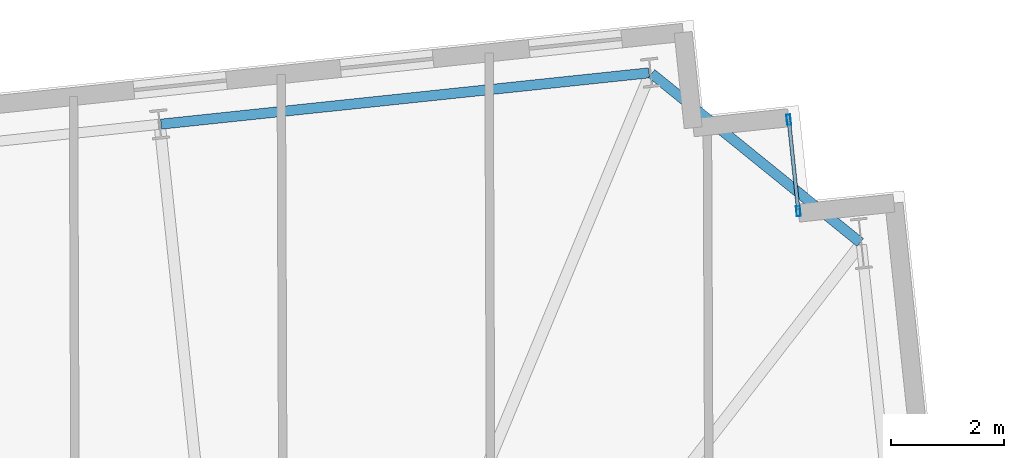
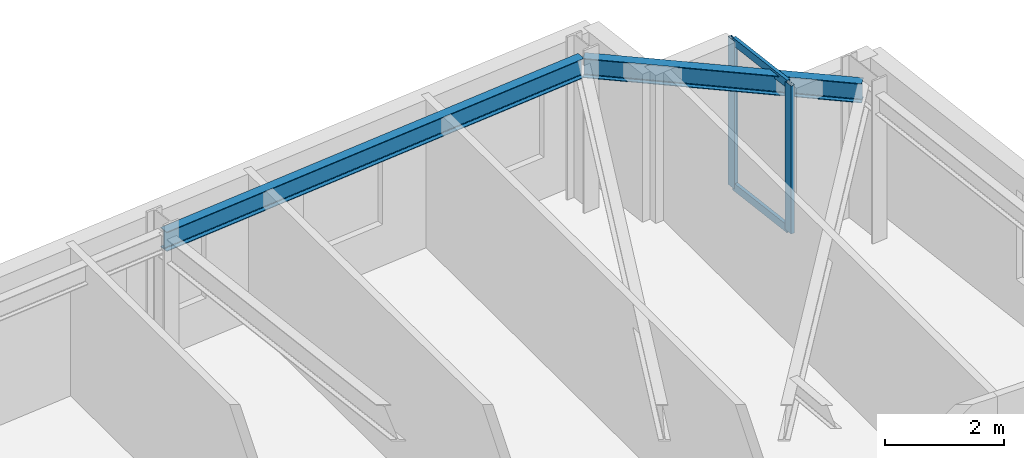
# One storey, part 14 of 23: 4 members, 2 beams, 1 element without a shape of its own.
"""IFC4 building model written with IfcOpenShell, lengths in metres."""

from ifc_helpers import new_model, si_unit, direction, frame, origin, origin_2d, place, context, subcontext, project, spatial, hollow_rectangle, i_section, extrude, material, layer, layer_set, material_profile, profile_set, type_object, element, aggregate, save


model = new_model("IFC4")

# Units and contexts
model_context = context("Model", 3, precision=1e-05, world=origin(), true_north=direction((0.0, 1.0)))
body_context = subcontext(model_context, "Body", "Model", "MODEL_VIEW")
ifc_project = project(units=[si_unit("LENGTHUNIT", "METRE"), si_unit("AREAUNIT", "SQUARE_METRE"), si_unit("VOLUMEUNIT", "CUBIC_METRE"), si_unit("PLANEANGLEUNIT", "RADIAN"), si_unit("MASSUNIT", "GRAM", prefix="KILO")], contexts=[model_context])

# Site, building, storey
site_placement = place(None, origin())
site = spatial("IfcSite", under=ifc_project, at=site_placement, CompositionType="ELEMENT")
building_placement = place(site_placement, origin())
building = spatial("IfcBuilding", under=site, at=building_placement, Name="Qobustan Lattice House", CompositionType="ELEMENT")
storey_placement = place(building_placement, frame((0.0, 0.0, 102.449951171875)))
storey = spatial("IfcBuildingStorey", under=building, at=storey_placement, Name="L28", CompositionType="ELEMENT", Elevation=102.449951171875)

# Beams
ifc_material_1 = material(Name="Steel S355", Category="steel")
ifc_material_profile_1 = material_profile(ifc_material_1, i_section(OverallWidth=0.179931640625, OverallDepth=0.39990234375, WebThickness=0.008544921875, FlangeThickness=0.013427734375, FilletRadius=0.02099609375, at=origin_2d()), Name="IPE400")
ifc_profile_set_1 = profile_set([ifc_material_profile_1], Name="Steel S355")
beam_type = type_object("IfcBeamType", Name="BM-SPD-IPE400", PredefinedType="SPANDREL", material=ifc_profile_set_1)
beam_1_placement = place(storey_placement, frame((29.536865234375, 19.484619140625, 2.844970703125), z_axis=(-0.777140911545, 0.629326627121, 0.0), x_axis=(-0.629326627121, -0.777140911545, 0.0)))
element("IfcBeam", 1, at=beam_1_placement, inside=storey, type_object=beam_type, Name="L28 perimeter spandrel E4-N1", PredefinedType="SPANDREL", context=body_context, shape_type="SweptSolid", body=[
    extrude(i_section(OverallWidth=0.179931640625, OverallDepth=0.39990234375, WebThickness=0.008544921875, FlangeThickness=0.013427734375, FilletRadius=0.02099609375, at=origin_2d()), origin(), (0.0, 0.0, 1.0), 4.758544921875),
])
beam_2_placement = place(storey_placement, frame((25.794677734375, 22.492431640625, 2.844970703125), z_axis=(-0.994521586424, -0.104531402636, 0.0), x_axis=(0.104531402636, -0.994521586424, 0.0)))
element("IfcBeam", 2, at=beam_2_placement, inside=storey, type_object=beam_type, Name="L28 perimeter spandrel N1-N2", PredefinedType="SPANDREL", context=body_context, shape_type="SweptSolid", body=[
    extrude(i_section(OverallWidth=0.179931640625, OverallDepth=0.39990234375, WebThickness=0.008544921875, FlangeThickness=0.013427734375, FilletRadius=0.02099609375, at=origin_2d()), origin(), (0.0, 0.0, 1.0), 8.699951171875),
])

# Curtain wall, members
ifc_material_2 = material(Name="Anodised aluminium and low-E glazing", Category="aluminium")
ifc_layer = layer(ifc_material_2, 0.219970703125)
ifc_layer_set = layer_set([ifc_layer], Name="Anodised aluminium and low-E glazing")
curtain_wall_type = type_object("IfcCurtainWallType", Name="CW-FAC-01", PredefinedType="USERDEFINED", material=ifc_layer_set)
curtain_wall_placement = place(storey_placement, origin())
curtain_wall = element("IfcCurtainWall", 3, at=curtain_wall_placement, inside=storey, type_object=curtain_wall_type, Name="L28 serrated corner faceted glazing 13", ObjectType="CURTAIN WALL", PredefinedType="USERDEFINED")
ifc_material_3 = material(Name="Anodised aluminium EN AW-6063 T6", Category="aluminium")
ifc_material_profile_2 = material_profile(ifc_material_3, hollow_rectangle(XDim=0.070068359375, YDim=0.179931640625, WallThickness=0.00439453125, at=origin_2d()), Name="CWM-180x70")
ifc_profile_set_2 = profile_set([ifc_material_profile_2], Name="Anodised aluminium EN AW-6063 T6")
member_type_1 = type_object("IfcMemberType", Name="CWM-STD-180", PredefinedType="MULLION", material=ifc_profile_set_2)
member_1_placement = place(storey_placement, frame((28.27001953125, 21.66162109375, 0.0), z_axis=(0.0, 0.0, 1.0), x_axis=(0.994521878892, 0.104528620025, 0.0)))
member_1 = element("IfcMember", 4, at=member_1_placement, type_object=member_type_1, Name="CW-F1 mullion 1", PredefinedType="MULLION", context=body_context, shape_type="SweptSolid", body=[
    extrude(hollow_rectangle(XDim=0.070068359375, YDim=0.179931640625, WallThickness=0.00439453125, at=origin_2d()), origin(), (0.0, 0.0, 1.0), 3.045166015625),
])
member_2_placement = place(storey_placement, frame((28.4404296875, 20.04052734375, 0.0), z_axis=(0.0, 0.0, 1.0), x_axis=(0.994521878892, 0.104528620025, 0.0)))
member_2 = element("IfcMember", 5, at=member_2_placement, type_object=member_type_1, Name="CW-F1 mullion 2", PredefinedType="MULLION", context=body_context, shape_type="SweptSolid", body=[
    extrude(hollow_rectangle(XDim=0.070068359375, YDim=0.179931640625, WallThickness=0.00439453125, at=origin_2d()), origin(), (0.0, 0.0, 1.0), 3.045166015625),
])
ifc_material_4 = material(Name="Anodised aluminium EN AW-6063 T6", Category="aluminium")
ifc_material_profile_3 = material_profile(ifc_material_4, hollow_rectangle(XDim=0.06494140625, YDim=0.159912109375, WallThickness=0.00390625, at=origin_2d()), Name="CWT-160x65")
ifc_profile_set_3 = profile_set([ifc_material_profile_3], Name="Anodised aluminium EN AW-6063 T6")
member_type_2 = type_object("IfcMemberType", Name="CWT-HOR-160", PredefinedType="USERDEFINED", material=ifc_profile_set_3)
member_3_placement = place(storey_placement, frame((28.273681640625, 21.626708984375, 0.032470703125), z_axis=(0.104538150424, -0.994520877159, 0.0), x_axis=(0.994520877159, 0.104538150424, 0.0)))
member_3 = element("IfcMember", 6, at=member_3_placement, type_object=member_type_2, Name="CW-F1 transom 1.1", ObjectType="TRANSOM", PredefinedType="USERDEFINED", context=body_context, shape_type="SweptSolid", body=[
    extrude(hollow_rectangle(XDim=0.06494140625, YDim=0.159912109375, WallThickness=0.00390625, at=origin_2d()), origin(), (0.0, 0.0, 1.0), 1.56005859375),
])
member_4_placement = place(storey_placement, frame((28.273681640625, 21.626708984375, 3.012451171875), z_axis=(0.104538150424, -0.994520877159, 0.0), x_axis=(0.994520877159, 0.104538150424, 0.0)))
member_4 = element("IfcMember", 7, at=member_4_placement, type_object=member_type_2, Name="CW-F1 transom 1.2", ObjectType="TRANSOM", PredefinedType="USERDEFINED", context=body_context, shape_type="SweptSolid", body=[
    extrude(hollow_rectangle(XDim=0.06494140625, YDim=0.159912109375, WallThickness=0.00390625, at=origin_2d()), origin(), (0.0, 0.0, 1.0), 1.56005859375),
])
aggregate(curtain_wall, [member_1, member_2, member_3, member_4])

save(model, "model.ifc")
